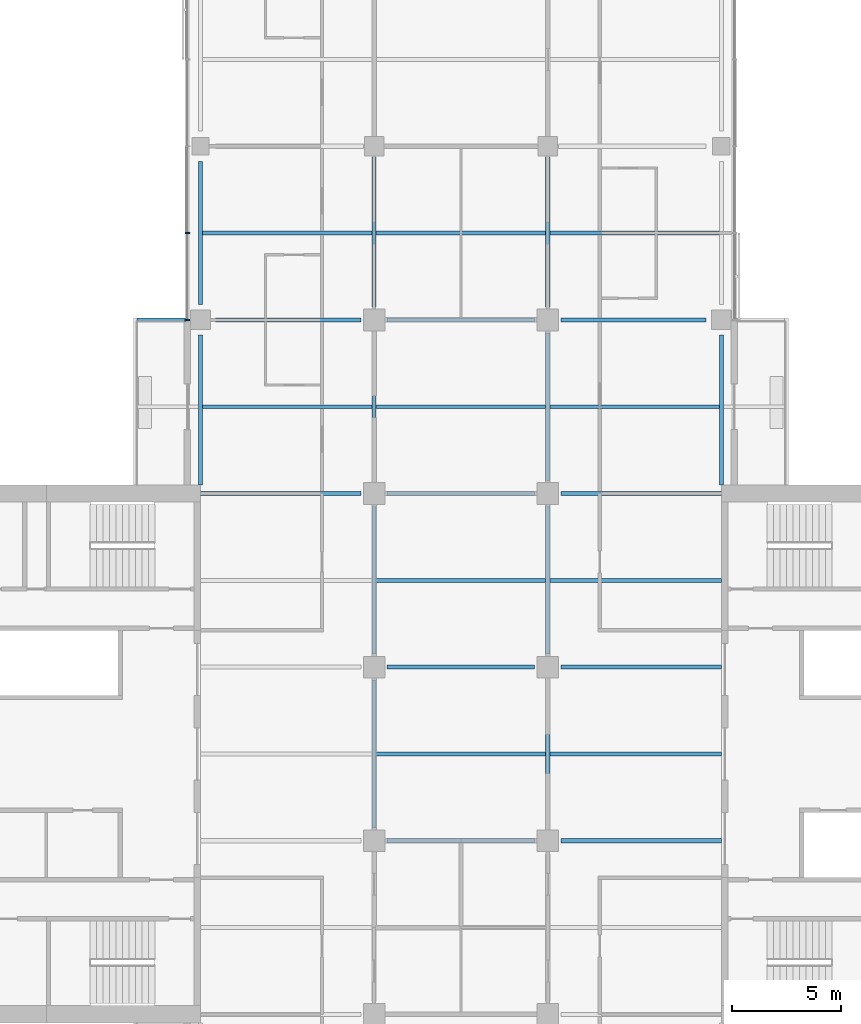
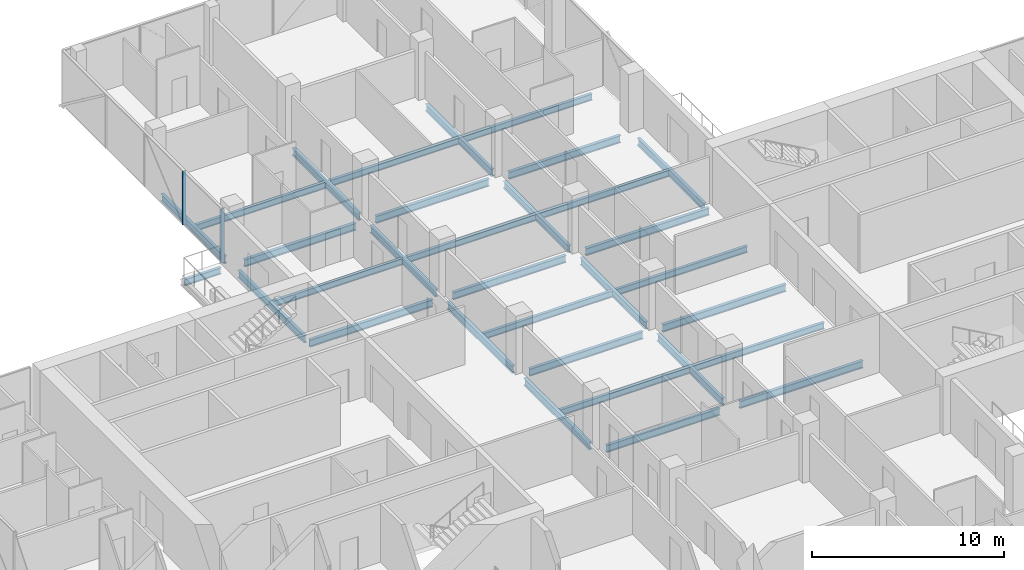
# One storey, part 8 of 25: 32 beams, 2 members, 1 element without a shape of its own.
"""IFC4 building model written with IfcOpenShell, lengths in metres."""

from ifc_helpers import new_model, si_unit, direction, frame, origin, origin_2d, place, context, subcontext, project, spatial, rectangle, i_section, extrude, material, material_profile, profile_set, type_object, element, aggregate, save


model = new_model("IFC4")

# Units and contexts
model_context = context("Model", 3, precision=1e-05, world=origin(), true_north=direction((0.0, 1.0)))
body_context = subcontext(model_context, "Body", "Model", "MODEL_VIEW")
ifc_project = project(units=[si_unit("LENGTHUNIT", "METRE"), si_unit("AREAUNIT", "SQUARE_METRE"), si_unit("VOLUMEUNIT", "CUBIC_METRE"), si_unit("PLANEANGLEUNIT", "RADIAN"), si_unit("MASSUNIT", "GRAM", prefix="KILO")], contexts=[model_context])

# Site, building, storey
site_placement = place(None, origin())
site = spatial("IfcSite", under=ifc_project, at=site_placement, CompositionType="ELEMENT")
building_placement = place(site_placement, origin())
building = spatial("IfcBuilding", under=site, at=building_placement, Name="Crosswind Convention Tower", CompositionType="ELEMENT")
storey_placement = place(building_placement, frame((0.0, 0.0, 97.89990234375)))
storey = spatial("IfcBuildingStorey", under=building, at=storey_placement, Name="L19", CompositionType="ELEMENT", Elevation=97.89990234375)

# Beams
ifc_material_1 = material(Name="Steel S355", Category="steel")
ifc_material_profile_1 = material_profile(ifc_material_1, i_section(OverallWidth=0.177734375, OverallDepth=0.406494140625, WebThickness=0.0078125, FlangeThickness=0.0126953125, FilletRadius=0.01025390625, at=origin_2d()), Name="UB 406x178x60")
ifc_profile_set_1 = profile_set([ifc_material_profile_1], Name="Steel S355")
beam_type_1 = type_object("IfcBeamType", Name="Balcony cantilever UB 406x178x60", PredefinedType="BEAM", material=ifc_profile_set_1)
beam_1_placement = place(storey_placement, frame((112.300048828125, 120.0, -0.483154296875), z_axis=(-1.0, 0.0, 0.0), x_axis=(0.0, -1.0, 0.0)))
element("IfcBeam", 1, at=beam_1_placement, inside=storey, type_object=beam_type_1, Name="B35 L19 balcony cantilever NW 5", PredefinedType="BEAM", context=body_context, shape_type="SweptSolid", body=[
    extrude(i_section(OverallWidth=0.177734375, OverallDepth=0.406494140625, WebThickness=0.0078125, FlangeThickness=0.0126953125, FilletRadius=0.01025390625, at=origin_2d()), origin(), (0.0, 0.0, 1.0), 2.214599609375),
])
ifc_material_profile_2 = material_profile(ifc_material_1, i_section(OverallWidth=0.1904296875, OverallDepth=0.457275390625, WebThickness=0.009033203125, FlangeThickness=0.014404296875, FilletRadius=0.01025390625, at=origin_2d()), Name="UB 457x191x75")
ifc_profile_set_2 = profile_set([ifc_material_profile_2], Name="Steel S355")
beam_type_2 = type_object("IfcBeamType", Name="Edge beam UB 457x191x75", PredefinedType="SPANDREL", material=ifc_profile_set_2)
beam_2_placement = place(storey_placement, frame((113.0, 112.39990234375, -0.508544921875), z_axis=(0.0, 1.0, 0.0), x_axis=(-1.0, 0.0, 0.0)))
element("IfcBeam", 2, at=beam_2_placement, inside=storey, type_object=beam_type_2, Name="B17 L19 edge beam 9", PredefinedType="SPANDREL", context=body_context, shape_type="SweptSolid", body=[
    extrude(i_section(OverallWidth=0.1904296875, OverallDepth=0.457275390625, WebThickness=0.009033203125, FlangeThickness=0.014404296875, FilletRadius=0.01025390625, at=origin_2d()), origin(), (0.0, 0.0, 1.0), 6.900146484375),
])
beam_3_placement = place(storey_placement, frame((113.0, 120.699951171875, -0.508544921875), z_axis=(0.0, 1.0, 0.0), x_axis=(-1.0, 0.0, 0.0)))
element("IfcBeam", 3, at=beam_3_placement, inside=storey, type_object=beam_type_2, Name="B17 L19 edge beam 10", PredefinedType="SPANDREL", context=body_context, shape_type="SweptSolid", body=[
    extrude(i_section(OverallWidth=0.1904296875, OverallDepth=0.457275390625, WebThickness=0.009033203125, FlangeThickness=0.014404296875, FilletRadius=0.01025390625, at=origin_2d()), origin(), (0.0, 0.0, 1.0), 6.60009765625),
])
beam_4_placement = place(storey_placement, frame((137.0, 112.39990234375, -0.508544921875), z_axis=(0.0, 1.0, 0.0), x_axis=(-1.0, 0.0, 0.0)))
element("IfcBeam", 4, at=beam_4_placement, inside=storey, type_object=beam_type_2, Name="B17 L19 edge beam 21", PredefinedType="SPANDREL", context=body_context, shape_type="SweptSolid", body=[
    extrude(i_section(OverallWidth=0.1904296875, OverallDepth=0.457275390625, WebThickness=0.009033203125, FlangeThickness=0.014404296875, FilletRadius=0.01025390625, at=origin_2d()), origin(), (0.0, 0.0, 1.0), 6.900146484375),
])
ifc_material_profile_3 = material_profile(ifc_material_1, i_section(OverallWidth=0.19140625, OverallDepth=0.460205078125, WebThickness=0.010009765625, FlangeThickness=0.01611328125, FilletRadius=0.01025390625, at=origin_2d()), Name="UB 457x191x82")
ifc_profile_set_3 = profile_set([ifc_material_profile_3], Name="Steel S355")
beam_type_3 = type_object("IfcBeamType", Name="Girder UB 457x191x82", PredefinedType="BEAM", material=ifc_profile_set_3)
beam_5_placement = place(storey_placement, frame((113.699951171875, 120.0, -0.510009765625), z_axis=(1.0, 0.0, 0.0), x_axis=(0.0, 1.0, 0.0)))
element("IfcBeam", 5, at=beam_5_placement, inside=storey, type_object=beam_type_3, Name="B3 L19 girder 3", PredefinedType="BEAM", context=body_context, shape_type="SweptSolid", body=[
    extrude(i_section(OverallWidth=0.19140625, OverallDepth=0.460205078125, WebThickness=0.010009765625, FlangeThickness=0.01611328125, FilletRadius=0.01025390625, at=origin_2d()), origin(), (0.0, 0.0, 1.0), 6.699951171875),
])
for number, where, z_axis, x_axis, name in (
    (6, (121.0, 96.60009765625, -0.510009765625), (0.0, 1.0, 0.0), (-1.0, 0.0, 0.0), "B3 L19 girder 9"),
    (7, (121.0, 104.60009765625, -0.510009765625), (0.0, 1.0, 0.0), (-1.0, 0.0, 0.0), "B3 L19 girder 10"),
    (8, (121.0, 112.60009765625, -0.510009765625), (0.0, 1.0, 0.0), (-1.0, 0.0, 0.0), "B3 L19 girder 11"),
):
    element("IfcBeam", number, at=place(storey_placement, frame(where, z_axis=z_axis, x_axis=x_axis)), inside=storey, type_object=beam_type_3, Name=name, PredefinedType="BEAM", context=body_context, shape_type="SweptSolid", body=[
        extrude(i_section(OverallWidth=0.19140625, OverallDepth=0.460205078125, WebThickness=0.010009765625, FlangeThickness=0.01611328125, FilletRadius=0.01025390625, at=origin_2d()), origin(), (0.0, 0.0, 1.0), 6.7998046875),
    ])
beam_6_placement = place(storey_placement, frame((121.0, 120.60009765625, -0.510009765625), z_axis=(0.0, 1.0, 0.0), x_axis=(-1.0, 0.0, 0.0)))
element("IfcBeam", 9, at=beam_6_placement, inside=storey, type_object=beam_type_3, Name="B3 L19 girder 12", PredefinedType="BEAM", context=body_context, shape_type="SweptSolid", body=[
    extrude(i_section(OverallWidth=0.19140625, OverallDepth=0.460205078125, WebThickness=0.010009765625, FlangeThickness=0.01611328125, FilletRadius=0.01025390625, at=origin_2d()), origin(), (0.0, 0.0, 1.0), 6.89990234375),
])
for number, where, z_axis, x_axis, name in (
    (10, (121.60009765625, 96.0, -0.510009765625), (1.0, 0.0, 0.0), (0.0, 1.0, 0.0), "B3 L19 girder 18"),
    (11, (121.60009765625, 104.0, -0.510009765625), (1.0, 0.0, 0.0), (0.0, 1.0, 0.0), "B3 L19 girder 19"),
    (12, (121.60009765625, 112.0, -0.510009765625), (1.0, 0.0, 0.0), (0.0, 1.0, 0.0), "B3 L19 girder 20"),
    (13, (121.60009765625, 120.0, -0.510009765625), (1.0, 0.0, 0.0), (0.0, 1.0, 0.0), "B3 L19 girder 21"),
    (14, (129.0, 96.60009765625, -0.510009765625), (0.0, 1.0, 0.0), (-1.0, 0.0, 0.0), "B3 L19 girder 26"),
    (15, (129.0, 104.60009765625, -0.510009765625), (0.0, 1.0, 0.0), (-1.0, 0.0, 0.0), "B3 L19 girder 27"),
    (16, (129.0, 112.60009765625, -0.510009765625), (0.0, 1.0, 0.0), (-1.0, 0.0, 0.0), "B3 L19 girder 28"),
):
    element("IfcBeam", number, at=place(storey_placement, frame(where, z_axis=z_axis, x_axis=x_axis)), inside=storey, type_object=beam_type_3, Name=name, PredefinedType="BEAM", context=body_context, shape_type="SweptSolid", body=[
        extrude(i_section(OverallWidth=0.19140625, OverallDepth=0.460205078125, WebThickness=0.010009765625, FlangeThickness=0.01611328125, FilletRadius=0.01025390625, at=origin_2d()), origin(), (0.0, 0.0, 1.0), 6.7998046875),
    ])
beam_7_placement = place(storey_placement, frame((129.0, 120.60009765625, -0.510009765625), z_axis=(0.0, 1.0, 0.0), x_axis=(-1.0, 0.0, 0.0)))
element("IfcBeam", 17, at=beam_7_placement, inside=storey, type_object=beam_type_3, Name="B3 L19 girder 29", PredefinedType="BEAM", context=body_context, shape_type="SweptSolid", body=[
    extrude(i_section(OverallWidth=0.19140625, OverallDepth=0.460205078125, WebThickness=0.010009765625, FlangeThickness=0.01611328125, FilletRadius=0.01025390625, at=origin_2d()), origin(), (0.0, 0.0, 1.0), 6.89990234375),
])
beam_8_placement = place(storey_placement, frame((129.60009765625, 120.0, -0.510009765625), z_axis=(1.0, 0.0, 0.0), x_axis=(0.0, 1.0, 0.0)))
element("IfcBeam", 18, at=beam_8_placement, inside=storey, type_object=beam_type_3, Name="B3 L19 girder 34", PredefinedType="BEAM", context=body_context, shape_type="SweptSolid", body=[
    extrude(i_section(OverallWidth=0.19140625, OverallDepth=0.460205078125, WebThickness=0.010009765625, FlangeThickness=0.01611328125, FilletRadius=0.01025390625, at=origin_2d()), origin(), (0.0, 0.0, 1.0), 6.699951171875),
])
ifc_material_profile_4 = material_profile(ifc_material_1, i_section(OverallWidth=0.19189453125, OverallDepth=0.463623046875, WebThickness=0.010498046875, FlangeThickness=0.017578125, FilletRadius=0.01025390625, at=origin_2d()), Name="UB 457x191x90")
ifc_profile_set_4 = profile_set([ifc_material_profile_4], Name="Steel S355")
beam_type_4 = type_object("IfcBeamType", Name="Girder at core wall UB 457x191x90", PredefinedType="BEAM", material=ifc_profile_set_4)
for number, where, z_axis, x_axis, name in (
    (19, (113.0, 112.0, -0.51171875), (1.0, 0.0, 0.0), (0.0, 1.0, 0.0), "B24 L19 girder at core wall 6"),
    (20, (129.60009765625, 96.0, -0.51171875), (1.0, 0.0, 0.0), (0.0, 1.0, 0.0), "B24 L19 girder at core wall 8"),
    (21, (129.60009765625, 104.0, -0.51171875), (1.0, 0.0, 0.0), (0.0, 1.0, 0.0), "B24 L19 girder at core wall 9"),
    (22, (129.60009765625, 112.0, -0.51171875), (1.0, 0.0, 0.0), (0.0, 1.0, 0.0), "B24 L19 girder at core wall 10"),
):
    element("IfcBeam", number, at=place(storey_placement, frame(where, z_axis=z_axis, x_axis=x_axis)), inside=storey, type_object=beam_type_4, Name=name, PredefinedType="BEAM", context=body_context, shape_type="SweptSolid", body=[
        extrude(i_section(OverallWidth=0.19189453125, OverallDepth=0.463623046875, WebThickness=0.010498046875, FlangeThickness=0.017578125, FilletRadius=0.01025390625, at=origin_2d()), origin(), (0.0, 0.0, 1.0), 7.39990234375),
    ])

# Curtain wall, members
ifc_material_2 = material(Name="Aluminium unitised curtain wall", Category="aluminium")
curtain_wall_type = type_object("IfcCurtainWallType", Name="HOTEL UNITISED WALL 200", PredefinedType="USERDEFINED", material=ifc_material_2)
curtain_wall_placement = place(storey_placement, origin())
curtain_wall = element("IfcCurtainWall", 23, at=curtain_wall_placement, inside=storey, type_object=curtain_wall_type, Name="CW2 L19 N-W 1", ObjectType="UNITISED", PredefinedType="USERDEFINED")
ifc_material_3 = material(Name="Aluminium mullion", Category="aluminium")
ifc_material_profile_5 = material_profile(ifc_material_3, rectangle(XDim=0.199951171875, YDim=0.06494140625, at=origin_2d()), Name="AL 200X65")
ifc_profile_set_5 = profile_set([ifc_material_profile_5], Name="Aluminium mullion")
member_type = type_object("IfcMemberType", Name="MULLION 65X200", PredefinedType="MULLION", material=ifc_profile_set_5)
member_1_placement = place(storey_placement, frame((112.39990234375, 124.0, -0.044921875), z_axis=(0.0, 0.0, 1.0), x_axis=(-1.0, 0.0, 0.0)))
member_1 = element("IfcMember", 24, at=member_1_placement, type_object=member_type, Name="CW2 mullion 4", PredefinedType="MULLION", context=body_context, shape_type="SweptSolid", body=[
    extrude(rectangle(XDim=0.199951171875, YDim=0.06494140625, at=origin_2d()), origin(), (0.0, 0.0, 1.0), 3.39990234375),
])
member_2_placement = place(storey_placement, frame((112.39990234375, 120.0, -0.044921875), z_axis=(0.0, 0.0, 1.0), x_axis=(-1.0, 0.0, 0.0)))
member_2 = element("IfcMember", 25, at=member_2_placement, type_object=member_type, Name="CW2 mullion 5", PredefinedType="MULLION", context=body_context, shape_type="SweptSolid", body=[
    extrude(rectangle(XDim=0.199951171875, YDim=0.06494140625, at=origin_2d()), origin(), (0.0, 0.0, 1.0), 3.39990234375),
])
aggregate(curtain_wall, [member_1, member_2])

# Beams
ifc_material_profile_6 = material_profile(ifc_material_1, i_section(OverallWidth=0.177734375, OverallDepth=0.406494140625, WebThickness=0.0078125, FlangeThickness=0.0126953125, FilletRadius=0.01025390625, at=origin_2d()), Name="UB 406x178x60")
ifc_profile_set_6 = profile_set([ifc_material_profile_6], Name="Steel S355")
beam_type_5 = type_object("IfcBeamType", Name="Secondary beam UB 406x178x60", PredefinedType="JOIST", material=ifc_profile_set_6)
for number, where, z_axis, x_axis, name in (
    (26, (113.09521484375, 116.0, -0.483154296875), (1.0, 0.0, 0.0), (0.0, 1.0, 0.0), "B10 L19 secondary beam 10"),
    (27, (113.09521484375, 124.0, -0.483154296875), (1.0, 0.0, 0.0), (0.0, 1.0, 0.0), "B10 L19 secondary beam 11"),
):
    element("IfcBeam", number, at=place(storey_placement, frame(where, z_axis=z_axis, x_axis=x_axis)), inside=storey, type_object=beam_type_5, Name=name, PredefinedType="JOIST", context=body_context, shape_type="SweptSolid", body=[
        extrude(i_section(OverallWidth=0.177734375, OverallDepth=0.406494140625, WebThickness=0.0078125, FlangeThickness=0.0126953125, FilletRadius=0.01025390625, at=origin_2d()), origin(), (0.0, 0.0, 1.0), 7.80908203125),
    ])
for number, where, z_axis, x_axis, name in (
    (28, (121.095703125, 100.0, -0.483154296875), (1.0, 0.0, 0.0), (0.0, 1.0, 0.0), "B10 L19 secondary beam 17"),
    (29, (121.095703125, 108.0, -0.483154296875), (1.0, 0.0, 0.0), (0.0, 1.0, 0.0), "B10 L19 secondary beam 18"),
    (30, (121.095703125, 116.0, -0.483154296875), (1.0, 0.0, 0.0), (0.0, 1.0, 0.0), "B10 L19 secondary beam 19"),
    (31, (121.095703125, 124.0, -0.483154296875), (1.0, 0.0, 0.0), (0.0, 1.0, 0.0), "B10 L19 secondary beam 20"),
):
    element("IfcBeam", number, at=place(storey_placement, frame(where, z_axis=z_axis, x_axis=x_axis)), inside=storey, type_object=beam_type_5, Name=name, PredefinedType="JOIST", context=body_context, shape_type="SweptSolid", body=[
        extrude(i_section(OverallWidth=0.177734375, OverallDepth=0.406494140625, WebThickness=0.0078125, FlangeThickness=0.0126953125, FilletRadius=0.01025390625, at=origin_2d()), origin(), (0.0, 0.0, 1.0), 7.80859375),
    ])
for number, where, z_axis, x_axis, name in (
    (32, (129.095703125, 100.0, -0.483154296875), (1.0, 0.0, 0.0), (0.0, 1.0, 0.0), "B10 L19 secondary beam 26"),
    (33, (129.095703125, 108.0, -0.483154296875), (1.0, 0.0, 0.0), (0.0, 1.0, 0.0), "B10 L19 secondary beam 27"),
):
    element("IfcBeam", number, at=place(storey_placement, frame(where, z_axis=z_axis, x_axis=x_axis)), inside=storey, type_object=beam_type_5, Name=name, PredefinedType="JOIST", context=body_context, shape_type="SweptSolid", body=[
        extrude(i_section(OverallWidth=0.177734375, OverallDepth=0.406494140625, WebThickness=0.0078125, FlangeThickness=0.0126953125, FilletRadius=0.01025390625, at=origin_2d()), origin(), (0.0, 0.0, 1.0), 7.904296875),
    ])
for number, where, z_axis, x_axis, name in (
    (34, (129.095703125, 116.0, -0.483154296875), (1.0, 0.0, 0.0), (0.0, 1.0, 0.0), "B10 L19 secondary beam 28"),
    (35, (129.095703125, 124.0, -0.483154296875), (1.0, 0.0, 0.0), (0.0, 1.0, 0.0), "B10 L19 secondary beam 29"),
):
    element("IfcBeam", number, at=place(storey_placement, frame(where, z_axis=z_axis, x_axis=x_axis)), inside=storey, type_object=beam_type_5, Name=name, PredefinedType="JOIST", context=body_context, shape_type="SweptSolid", body=[
        extrude(i_section(OverallWidth=0.177734375, OverallDepth=0.406494140625, WebThickness=0.0078125, FlangeThickness=0.0126953125, FilletRadius=0.01025390625, at=origin_2d()), origin(), (0.0, 0.0, 1.0), 7.80908203125),
    ])

save(model, "model.ifc")
